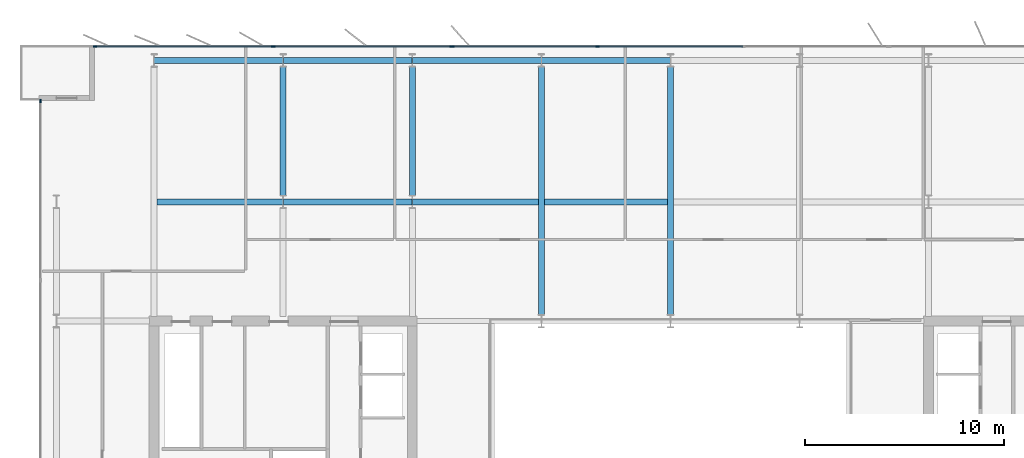
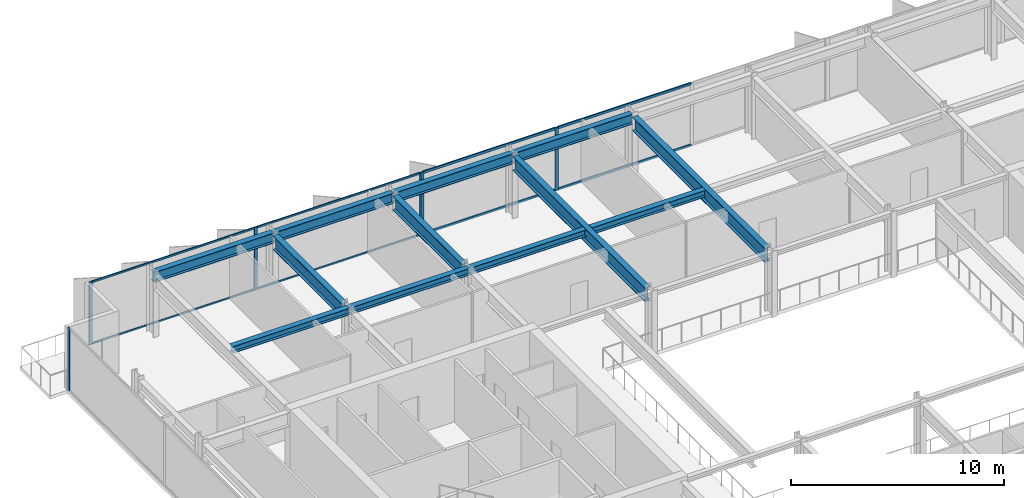
# One storey, part 8 of 20: 14 members, 12 beams, 3 elements without a shape of their own.
"""IFC4 building model written with IfcOpenShell, lengths in metres."""

from ifc_helpers import new_model, si_unit, direction, frame, origin, origin_2d, place, context, subcontext, project, spatial, rectangle, i_section, extrude, material, layer, layer_set, material_profile, profile_set, type_object, element, aggregate, save


model = new_model("IFC4")

# Units and contexts
model_context = context("Model", 3, precision=1e-05, world=origin(), true_north=direction((0.0, 1.0)))
body_context = subcontext(model_context, "Body", "Model", "MODEL_VIEW")
ifc_project = project(units=[si_unit("LENGTHUNIT", "METRE"), si_unit("AREAUNIT", "SQUARE_METRE"), si_unit("VOLUMEUNIT", "CUBIC_METRE"), si_unit("PLANEANGLEUNIT", "RADIAN"), si_unit("MASSUNIT", "GRAM", prefix="KILO")], contexts=[model_context])

# Site, building, storey
site_placement = place(None, origin())
site = spatial("IfcSite", under=ifc_project, at=site_placement, CompositionType="ELEMENT")
building_placement = place(site_placement, origin())
building = spatial("IfcBuilding", under=site, at=building_placement, Name="Putna Gate Headquarters", CompositionType="ELEMENT")
storey_placement = place(building_placement, frame((0.0, 0.0, 274.60009765625)))
storey = spatial("IfcBuildingStorey", under=building, at=storey_placement, Name="L69", CompositionType="ELEMENT", Elevation=274.60009765625)

# Beams
ifc_material_1 = material(Name="Steel S355J2", Category="steel")
ifc_material_profile_1 = material_profile(ifc_material_1, i_section(OverallWidth=0.300048828125, OverallDepth=0.800048828125, WebThickness=0.017578125, FlangeThickness=0.032958984375, at=origin_2d()), Name="Steel S355J2")
ifc_profile_set_1 = profile_set([ifc_material_profile_1], Name="Steel S355J2")
beam_type_1 = type_object("IfcBeamType", Name="BM-GIRD-P-HEB800", PredefinedType="USERDEFINED", material=ifc_profile_set_1)
for number, where, z_axis, x_axis, name in (
    (1, (19.5, 39.322021484375, 3.18798828125), (0.0, 1.0, 0.0), (-1.0, 0.0, 0.0), "L69 North Primary Girder X19-2"),
    (2, (26.0, 39.322021484375, 3.18798828125), (0.0, 1.0, 0.0), (-1.0, 0.0, 0.0), "L69 North Primary Girder X26-2"),
):
    element("IfcBeam", number, at=place(storey_placement, frame(where, z_axis=z_axis, x_axis=x_axis)), inside=storey, type_object=beam_type_1, Name=name, ObjectType="GIRDER", PredefinedType="USERDEFINED", context=body_context, shape_type="SweptSolid", body=[
        extrude(i_section(OverallWidth=0.300048828125, OverallDepth=0.800048828125, WebThickness=0.017578125, FlangeThickness=0.032958984375, at=origin_2d()), origin(), (0.0, 0.0, 1.0), 6.47607421875),
    ])
for number, where, z_axis, x_axis, name in (
    (3, (32.5, 33.322021484375, 3.18798828125), (0.0, 1.0, 0.0), (-1.0, 0.0, 0.0), "L69 North Primary Girder X32"),
    (4, (39.0, 33.322021484375, 3.18798828125), (0.0, 1.0, 0.0), (-1.0, 0.0, 0.0), "L69 North Primary Girder X39"),
):
    element("IfcBeam", number, at=place(storey_placement, frame(where, z_axis=z_axis, x_axis=x_axis)), inside=storey, type_object=beam_type_1, Name=name, ObjectType="GIRDER", PredefinedType="USERDEFINED", context=body_context, shape_type="SweptSolid", body=[
        extrude(i_section(OverallWidth=0.300048828125, OverallDepth=0.800048828125, WebThickness=0.017578125, FlangeThickness=0.032958984375, at=origin_2d()), origin(), (0.0, 0.0, 1.0), 12.47607421875),
    ])
ifc_material_profile_2 = material_profile(ifc_material_1, i_section(OverallWidth=0.300048828125, OverallDepth=0.389892578125, WebThickness=0.010986328125, FlangeThickness=0.01904296875, at=origin_2d()), Name="Steel S355J2")
ifc_profile_set_2 = profile_set([ifc_material_profile_2], Name="Steel S355J2")
beam_type_2 = type_object("IfcBeamType", Name="BM-SEC-Z5-HEA400", PredefinedType="BEAM", material=ifc_profile_set_2)
beam_1_placement = place(storey_placement, frame((13.154052734375, 39.0, 3.392822265625), z_axis=(1.0, 0.0, 0.0), x_axis=(0.0, 1.0, 0.0)))
element("IfcBeam", 5, at=beam_1_placement, inside=storey, type_object=beam_type_2, Name="L69 North Secondary Beam 1", PredefinedType="BEAM", context=body_context, shape_type="SweptSolid", body=[
    extrude(i_section(OverallWidth=0.300048828125, OverallDepth=0.389892578125, WebThickness=0.010986328125, FlangeThickness=0.01904296875, at=origin_2d()), origin(), (0.0, 0.0, 1.0), 6.33984375),
])
beam_2_placement = place(storey_placement, frame((19.506103515625, 39.0, 3.392822265625), z_axis=(1.0, 0.0, 0.0), x_axis=(0.0, 1.0, 0.0)))
element("IfcBeam", 6, at=beam_2_placement, inside=storey, type_object=beam_type_2, Name="L69 North Secondary Beam 2", PredefinedType="BEAM", context=body_context, shape_type="SweptSolid", body=[
    extrude(i_section(OverallWidth=0.300048828125, OverallDepth=0.389892578125, WebThickness=0.010986328125, FlangeThickness=0.01904296875, at=origin_2d()), origin(), (0.0, 0.0, 1.0), 6.48779296875),
])
beam_3_placement = place(storey_placement, frame((26.006103515625, 39.0, 3.392822265625), z_axis=(1.0, 0.0, 0.0), x_axis=(0.0, 1.0, 0.0)))
element("IfcBeam", 7, at=beam_3_placement, inside=storey, type_object=beam_type_2, Name="L69 North Secondary Beam 3", PredefinedType="BEAM", context=body_context, shape_type="SweptSolid", body=[
    extrude(i_section(OverallWidth=0.300048828125, OverallDepth=0.389892578125, WebThickness=0.010986328125, FlangeThickness=0.01904296875, at=origin_2d()), origin(), (0.0, 0.0, 1.0), 6.33984375),
])
beam_4_placement = place(storey_placement, frame((32.654052734375, 39.0, 3.392822265625), z_axis=(1.0, 0.0, 0.0), x_axis=(0.0, 1.0, 0.0)))
element("IfcBeam", 8, at=beam_4_placement, inside=storey, type_object=beam_type_2, Name="L69 North Secondary Beam 4", PredefinedType="BEAM", context=body_context, shape_type="SweptSolid", body=[
    extrude(i_section(OverallWidth=0.300048828125, OverallDepth=0.389892578125, WebThickness=0.010986328125, FlangeThickness=0.01904296875, at=origin_2d()), origin(), (0.0, 0.0, 1.0), 6.19189453125),
])
ifc_material_profile_3 = material_profile(ifc_material_1, i_section(OverallWidth=0.300048828125, OverallDepth=0.590087890625, WebThickness=0.012939453125, FlangeThickness=0.02490234375, at=origin_2d()), Name="Steel S355J2")
ifc_profile_set_3 = profile_set([ifc_material_profile_3], Name="Steel S355J2")
beam_type_3 = type_object("IfcBeamType", Name="BM-SPAN-Z4-HEA600", PredefinedType="SPANDREL", material=ifc_profile_set_3)
for number, where, z_axis, x_axis, name in (
    (9, (13.006103515625, 46.1201171875, 3.29296875), (1.0, 0.0, 0.0), (0.0, 1.0, 0.0), "L69 N Perimeter Spandrel 1"),
    (10, (19.506103515625, 46.1201171875, 3.29296875), (1.0, 0.0, 0.0), (0.0, 1.0, 0.0), "L69 N Perimeter Spandrel 2"),
    (11, (26.006103515625, 46.1201171875, 3.29296875), (1.0, 0.0, 0.0), (0.0, 1.0, 0.0), "L69 N Perimeter Spandrel 3"),
    (12, (32.506103515625, 46.1201171875, 3.29296875), (1.0, 0.0, 0.0), (0.0, 1.0, 0.0), "L69 N Perimeter Spandrel 4"),
):
    element("IfcBeam", number, at=place(storey_placement, frame(where, z_axis=z_axis, x_axis=x_axis)), inside=storey, type_object=beam_type_3, Name=name, PredefinedType="SPANDREL", context=body_context, shape_type="SweptSolid", body=[
        extrude(i_section(OverallWidth=0.300048828125, OverallDepth=0.590087890625, WebThickness=0.012939453125, FlangeThickness=0.02490234375, at=origin_2d()), origin(), (0.0, 0.0, 1.0), 6.48779296875),
    ])

# Curtain wall, members
ifc_material_2 = material(Name="Anodised bronze aluminium curtain wall", Category="aluminium")
ifc_layer_1 = layer(ifc_material_2, 0.179931640625)
ifc_layer_set_1 = layer_set([ifc_layer_1], Name="Anodised bronze aluminium curtain wall")
curtain_wall_type_1 = type_object("IfcCurtainWallType", Name="CW-SYS-Z5", PredefinedType="USERDEFINED", material=ifc_layer_set_1)
curtain_wall_1_placement = place(storey_placement, origin())
curtain_wall_1 = element("IfcCurtainWall", 13, at=curtain_wall_1_placement, inside=storey, type_object=curtain_wall_type_1, Name="L69 North West Curtain Wall", ObjectType="STICK CURTAIN WALL", PredefinedType="USERDEFINED")
ifc_material_3 = material(Name="Anodised bronze aluminium EN AW-6060", Category="aluminium")
ifc_material_profile_4 = material_profile(ifc_material_3, rectangle(XDim=0.070068359375, YDim=0.179931640625, at=origin_2d()), Name="Anodised bronze aluminium EN AW-6060")
ifc_profile_set_4 = profile_set([ifc_material_profile_4], Name="Anodised bronze aluminium EN AW-6060")
member_type_1 = type_object("IfcMemberType", Name="MULL-CWM-5", PredefinedType="MULLION", material=ifc_profile_set_4)
member_1_placement = place(storey_placement, frame((10.034912109375, 46.820068359375, 0.0), z_axis=(0.0, 0.0, 1.0), x_axis=(0.0, 1.0, 0.0)))
member_1 = element("IfcMember", 14, at=member_1_placement, type_object=member_type_1, Name="CWS-5 mullion 1", PredefinedType="MULLION", context=body_context, shape_type="SweptSolid", body=[
    extrude(rectangle(XDim=0.070068359375, YDim=0.179931640625, at=origin_2d()), origin(), (0.0, 0.0, 1.0), 3.587890625),
])
member_2_placement = place(storey_placement, frame((19.0, 46.820068359375, 0.0), z_axis=(0.0, 0.0, 1.0), x_axis=(0.0, 1.0, 0.0)))
member_2 = element("IfcMember", 15, at=member_2_placement, type_object=member_type_1, Name="CWS-5 mullion 2", PredefinedType="MULLION", context=body_context, shape_type="SweptSolid", body=[
    extrude(rectangle(XDim=0.070068359375, YDim=0.179931640625, at=origin_2d()), origin(), (0.0, 0.0, 1.0), 3.587890625),
])
member_3_placement = place(storey_placement, frame((27.965087890625, 46.820068359375, 0.0), z_axis=(0.0, 0.0, 1.0), x_axis=(0.0, 1.0, 0.0)))
member_3 = element("IfcMember", 16, at=member_3_placement, type_object=member_type_1, Name="CWS-5 mullion 3", PredefinedType="MULLION", context=body_context, shape_type="SweptSolid", body=[
    extrude(rectangle(XDim=0.070068359375, YDim=0.179931640625, at=origin_2d()), origin(), (0.0, 0.0, 1.0), 3.587890625),
])

# Curtain wall, member
curtain_wall_2_placement = place(storey_placement, origin())
curtain_wall_2 = element("IfcCurtainWall", 17, at=curtain_wall_2_placement, inside=storey, type_object=curtain_wall_type_1, Name="L69 West Curtain Wall", ObjectType="STICK CURTAIN WALL", PredefinedType="USERDEFINED")
member_4_placement = place(storey_placement, frame((7.280029296875, 44.06494140625, 0.0), z_axis=(0.0, 0.0, 1.0), x_axis=(-1.0, 0.0, 0.0)))
member_4 = element("IfcMember", 18, at=member_4_placement, type_object=member_type_1, Name="CWS-5 mullion 5", PredefinedType="MULLION", context=body_context, shape_type="SweptSolid", body=[
    extrude(rectangle(XDim=0.070068359375, YDim=0.179931640625, at=origin_2d()), origin(), (0.0, 0.0, 1.0), 3.587890625),
])
aggregate(curtain_wall_2, [member_4])

# Curtain wall, members
ifc_layer_2 = layer(ifc_material_2, 0.179931640625)
ifc_layer_set_2 = layer_set([ifc_layer_2], Name="Anodised bronze aluminium curtain wall")
curtain_wall_type_2 = type_object("IfcCurtainWallType", Name="CW-SYS-ATR", PredefinedType="USERDEFINED", material=ifc_layer_set_2)
curtain_wall_3_placement = place(storey_placement, origin())
curtain_wall_3 = element("IfcCurtainWall", 19, at=curtain_wall_3_placement, inside=storey, type_object=curtain_wall_type_2, Name="L69 North Atrium Clear Glazing", ObjectType="ATRIUM GLAZING", PredefinedType="USERDEFINED")
ifc_material_profile_5 = material_profile(ifc_material_3, rectangle(XDim=0.070068359375, YDim=0.179931640625, at=origin_2d()), Name="Anodised bronze aluminium EN AW-6060")
ifc_profile_set_5 = profile_set([ifc_material_profile_5], Name="Anodised bronze aluminium EN AW-6060")
member_type_2 = type_object("IfcMemberType", Name="MULL-CWM-AT", PredefinedType="MULLION", material=ifc_profile_set_5)
member_5_placement = place(storey_placement, frame((28.034912109375, 46.820068359375, 0.0), z_axis=(0.0, 0.0, 1.0), x_axis=(0.0, 1.0, 0.0)))
member_5 = element("IfcMember", 20, at=member_5_placement, type_object=member_type_2, Name="CWS-AT mullion 1", PredefinedType="MULLION", context=body_context, shape_type="SweptSolid", body=[
    extrude(rectangle(XDim=0.070068359375, YDim=0.179931640625, at=origin_2d()), origin(), (0.0, 0.0, 1.0), 3.587890625),
])
member_6_placement = place(storey_placement, frame((35.333251953125, 46.820068359375, 0.0), z_axis=(0.0, 0.0, 1.0), x_axis=(0.0, 1.0, 0.0)))
member_6 = element("IfcMember", 21, at=member_6_placement, type_object=member_type_2, Name="CWS-AT mullion 2", PredefinedType="MULLION", context=body_context, shape_type="SweptSolid", body=[
    extrude(rectangle(XDim=0.070068359375, YDim=0.179931640625, at=origin_2d()), origin(), (0.0, 0.0, 1.0), 3.587890625),
])

# Member
ifc_material_profile_6 = material_profile(ifc_material_3, rectangle(XDim=0.06005859375, YDim=0.10009765625, at=origin_2d()), Name="Anodised bronze aluminium EN AW-6060")
ifc_profile_set_6 = profile_set([ifc_material_profile_6], Name="Anodised bronze aluminium EN AW-6060")
member_type_3 = type_object("IfcMemberType", Name="TRAN-CWT-5", PredefinedType="USERDEFINED", material=ifc_profile_set_6)
member_7_placement = place(storey_placement, frame((10.070068359375, 46.820068359375, 0.02978515625), z_axis=(1.0, 0.0, 0.0), x_axis=(0.0, 1.0, 0.0)))
member_7 = element("IfcMember", 22, at=member_7_placement, type_object=member_type_3, Name="CWS-5 transom 1.1", ObjectType="TRANSOM", PredefinedType="USERDEFINED", context=body_context, shape_type="SweptSolid", body=[
    extrude(rectangle(XDim=0.06005859375, YDim=0.10009765625, at=origin_2d()), origin(), (0.0, 0.0, 1.0), 8.89501953125),
])

member_8_placement = place(storey_placement, frame((10.070068359375, 46.820068359375, 3.557861328125), z_axis=(1.0, 0.0, 0.0), x_axis=(0.0, 1.0, 0.0)))
member_8 = element("IfcMember", 23, at=member_8_placement, type_object=member_type_3, Name="CWS-5 transom 1.2", ObjectType="TRANSOM", PredefinedType="USERDEFINED", context=body_context, shape_type="SweptSolid", body=[
    extrude(rectangle(XDim=0.06005859375, YDim=0.10009765625, at=origin_2d()), origin(), (0.0, 0.0, 1.0), 8.89501953125),
])

member_9_placement = place(storey_placement, frame((19.034912109375, 46.820068359375, 0.02978515625), z_axis=(1.0, 0.0, 0.0), x_axis=(0.0, 1.0, 0.0)))
member_9 = element("IfcMember", 24, at=member_9_placement, type_object=member_type_3, Name="CWS-5 transom 2.1", ObjectType="TRANSOM", PredefinedType="USERDEFINED", context=body_context, shape_type="SweptSolid", body=[
    extrude(rectangle(XDim=0.06005859375, YDim=0.10009765625, at=origin_2d()), origin(), (0.0, 0.0, 1.0), 8.89501953125),
])

member_10_placement = place(storey_placement, frame((19.034912109375, 46.820068359375, 3.557861328125), z_axis=(1.0, 0.0, 0.0), x_axis=(0.0, 1.0, 0.0)))
member_10 = element("IfcMember", 25, at=member_10_placement, type_object=member_type_3, Name="CWS-5 transom 2.2", ObjectType="TRANSOM", PredefinedType="USERDEFINED", context=body_context, shape_type="SweptSolid", body=[
    extrude(rectangle(XDim=0.06005859375, YDim=0.10009765625, at=origin_2d()), origin(), (0.0, 0.0, 1.0), 8.89501953125),
])

aggregate(curtain_wall_1, [member_1, member_2, member_3, member_7, member_8, member_9, member_10])

ifc_material_profile_7 = material_profile(ifc_material_3, rectangle(XDim=0.070068359375, YDim=0.139892578125, at=origin_2d()), Name="Anodised bronze aluminium EN AW-6060")
ifc_profile_set_7 = profile_set([ifc_material_profile_7], Name="Anodised bronze aluminium EN AW-6060")
member_type_4 = type_object("IfcMemberType", Name="TRAN-CWT-AT", PredefinedType="USERDEFINED", material=ifc_profile_set_7)
member_11_placement = place(storey_placement, frame((28.070068359375, 46.820068359375, 0.034912109375), z_axis=(1.0, 0.0, 0.0), x_axis=(0.0, 1.0, 0.0)))
member_11 = element("IfcMember", 26, at=member_11_placement, type_object=member_type_4, Name="CWS-AT transom 1.1", ObjectType="TRANSOM", PredefinedType="USERDEFINED", context=body_context, shape_type="SweptSolid", body=[
    extrude(rectangle(XDim=0.070068359375, YDim=0.139892578125, at=origin_2d()), origin(), (0.0, 0.0, 1.0), 7.228271484375),
])

member_12_placement = place(storey_placement, frame((28.070068359375, 46.820068359375, 3.552978515625), z_axis=(1.0, 0.0, 0.0), x_axis=(0.0, 1.0, 0.0)))
member_12 = element("IfcMember", 27, at=member_12_placement, type_object=member_type_4, Name="CWS-AT transom 1.2", ObjectType="TRANSOM", PredefinedType="USERDEFINED", context=body_context, shape_type="SweptSolid", body=[
    extrude(rectangle(XDim=0.070068359375, YDim=0.139892578125, at=origin_2d()), origin(), (0.0, 0.0, 1.0), 7.228271484375),
])

member_13_placement = place(storey_placement, frame((35.368408203125, 46.820068359375, 0.034912109375), z_axis=(1.0, 0.0, 0.0), x_axis=(0.0, 1.0, 0.0)))
member_13 = element("IfcMember", 28, at=member_13_placement, type_object=member_type_4, Name="CWS-AT transom 2.1", ObjectType="TRANSOM", PredefinedType="USERDEFINED", context=body_context, shape_type="SweptSolid", body=[
    extrude(rectangle(XDim=0.070068359375, YDim=0.139892578125, at=origin_2d()), origin(), (0.0, 0.0, 1.0), 7.26318359375),
])

member_14_placement = place(storey_placement, frame((35.368408203125, 46.820068359375, 3.552978515625), z_axis=(1.0, 0.0, 0.0), x_axis=(0.0, 1.0, 0.0)))
member_14 = element("IfcMember", 29, at=member_14_placement, type_object=member_type_4, Name="CWS-AT transom 2.2", ObjectType="TRANSOM", PredefinedType="USERDEFINED", context=body_context, shape_type="SweptSolid", body=[
    extrude(rectangle(XDim=0.070068359375, YDim=0.139892578125, at=origin_2d()), origin(), (0.0, 0.0, 1.0), 7.26318359375),
])

aggregate(curtain_wall_3, [member_5, member_6, member_11, member_12, member_13, member_14])

save(model, "model.ifc")
